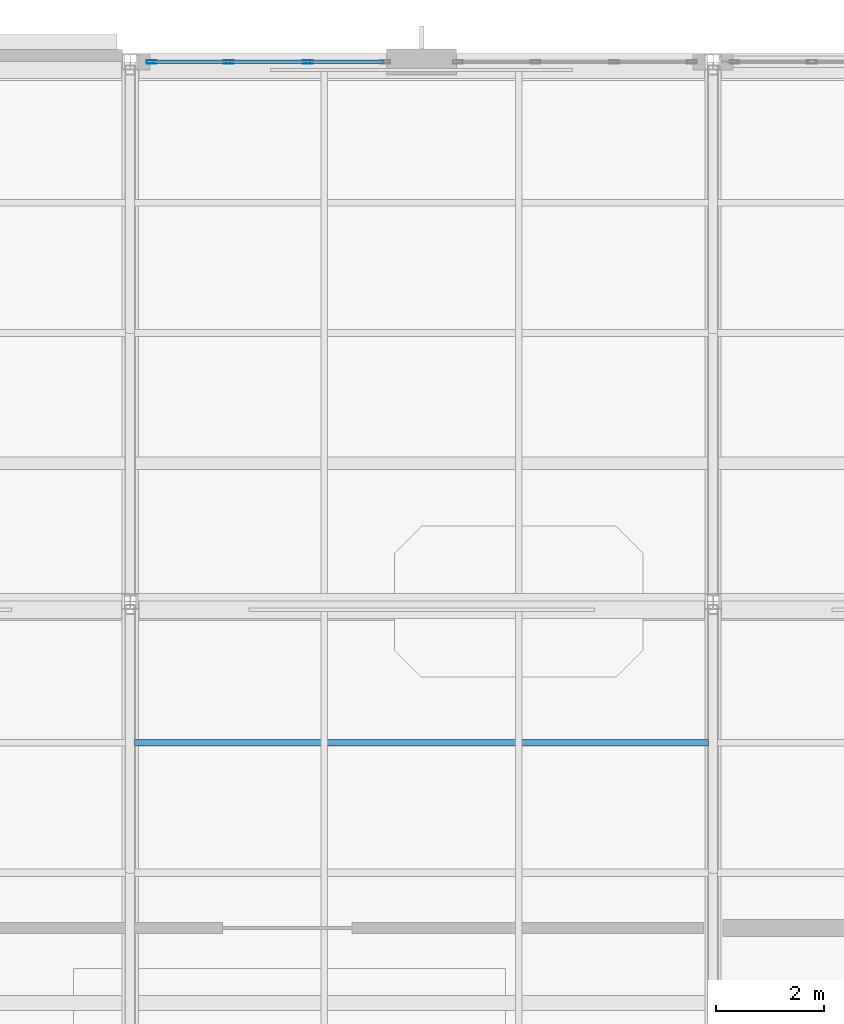
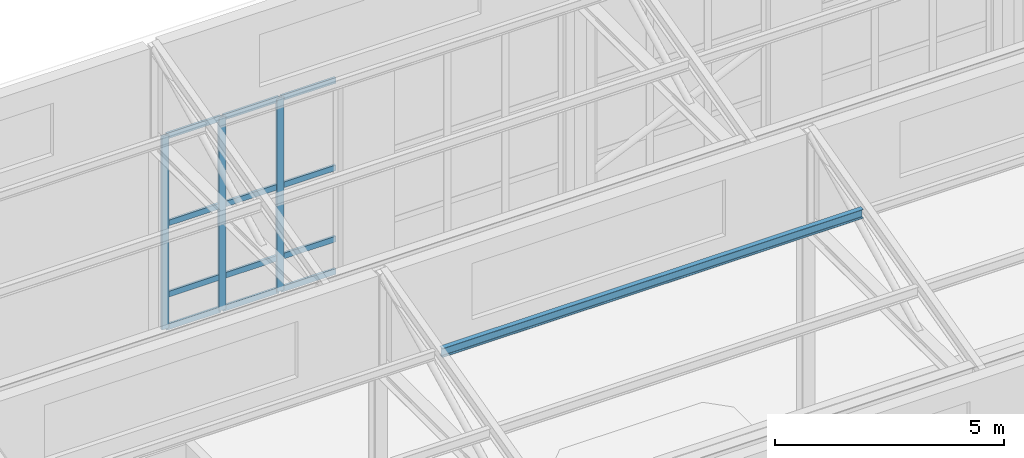
# One storey, part 11 of 49: 16 members, 1 element without a shape of its own.
"""IFC4 building model written with IfcOpenShell, lengths in metres."""

from ifc_helpers import new_model, si_unit, direction, frame, origin, origin_2d, place, context, subcontext, project, spatial, hollow_rectangle, i_section, extrude, material, layer, layer_set, material_profile, profile_set, type_object, element, aggregate, save


model = new_model("IFC4")

# Units and contexts
model_context = context("Model", 3, precision=1e-05, world=origin(), true_north=direction((0.0, 1.0)))
body_context = subcontext(model_context, "Body", "Model", "MODEL_VIEW")
ifc_project = project(units=[si_unit("LENGTHUNIT", "METRE"), si_unit("AREAUNIT", "SQUARE_METRE"), si_unit("VOLUMEUNIT", "CUBIC_METRE"), si_unit("PLANEANGLEUNIT", "RADIAN"), si_unit("MASSUNIT", "GRAM", prefix="KILO")], contexts=[model_context])

# Site, building, storey
site_placement = place(None, origin())
site = spatial("IfcSite", under=ifc_project, at=site_placement, CompositionType="ELEMENT")
building_placement = place(site_placement, origin())
building = spatial("IfcBuilding", under=site, at=building_placement, Name="Tasgan Crest Museum", CompositionType="ELEMENT")
storey_placement = place(building_placement, frame((0.0, 0.0, 28.800048828125)))
storey = spatial("IfcBuildingStorey", under=building, at=storey_placement, Name="L05", CompositionType="ELEMENT", Elevation=28.800048828125)

# Curtain wall, members
ifc_material_1 = material(Name="Triple-Glazed Aluminium Curtain Wall", Category="aluminium")
ifc_layer = layer(ifc_material_1, 0.179931640625, Name="CW-CORE-STRIP-54")
ifc_layer_set = layer_set([ifc_layer], Name="Triple-Glazed Aluminium Curtain Wall")
curtain_wall_type = type_object("IfcCurtainWallType", Name="CW-CORE-STRIP-54", PredefinedType="NOTDEFINED", material=ifc_layer_set)
curtain_wall_placement = place(storey_placement, origin())
curtain_wall = element("IfcCurtainWall", 1, at=curtain_wall_placement, inside=storey, type_object=curtain_wall_type, Name="Curtain wall L05 210", PredefinedType="NOTDEFINED")
ifc_material_2 = material(Name="Anodised Aluminium", Category="aluminium")
ifc_material_profile_1 = material_profile(ifc_material_2, hollow_rectangle(XDim=0.06494140625, YDim=0.179931640625, WallThickness=0.0048828125, at=origin_2d()), Name="ALU MULLION 180x65x5")
ifc_profile_set_1 = profile_set([ifc_material_profile_1], Name="Anodised Aluminium")
member_type_1 = type_object("IfcMemberType", Name="CW-MULLION-180", PredefinedType="MULLION", material=ifc_profile_set_1)
member_1_placement = place(storey_placement, frame((14.091552734375, 112.0, 0.0), z_axis=(0.0, 0.0, 1.0), x_axis=(0.0, -1.0, 0.0)))
member_1 = element("IfcMember", 2, at=member_1_placement, type_object=member_type_1, Name="CW21 mullion 2", PredefinedType="MULLION", context=body_context, shape_type="SweptSolid", body=[
    extrude(hollow_rectangle(XDim=0.06494140625, YDim=0.179931640625, WallThickness=0.0048828125, at=origin_2d()), origin(), (0.0, 0.0, 1.0), 5.159912109375),
])
member_2_placement = place(storey_placement, frame((12.62841796875, 112.0, 0.0), z_axis=(0.0, 0.0, 1.0), x_axis=(0.0, -1.0, 0.0)))
member_2 = element("IfcMember", 3, at=member_2_placement, type_object=member_type_1, Name="CW21 mullion 3", PredefinedType="MULLION", context=body_context, shape_type="SweptSolid", body=[
    extrude(hollow_rectangle(XDim=0.06494140625, YDim=0.179931640625, WallThickness=0.0048828125, at=origin_2d()), origin(), (0.0, 0.0, 1.0), 5.159912109375),
])
member_3_placement = place(storey_placement, frame((11.195068359375, 112.0, 0.0), z_axis=(0.0, 0.0, 1.0), x_axis=(0.0, -1.0, 0.0)))
member_3 = element("IfcMember", 4, at=member_3_placement, type_object=member_type_1, Name="CW21 mullion 4", PredefinedType="MULLION", context=body_context, shape_type="SweptSolid", body=[
    extrude(hollow_rectangle(XDim=0.06494140625, YDim=0.179931640625, WallThickness=0.0048828125, at=origin_2d()), origin(), (0.0, 0.0, 1.0), 5.159912109375),
])
ifc_material_3 = material(Name="Anodised Aluminium", Category="aluminium")
ifc_material_profile_2 = material_profile(ifc_material_3, hollow_rectangle(XDim=0.06005859375, YDim=0.14990234375, WallThickness=0.0048828125, at=origin_2d()), Name="ALU TRANSOM 150x60x5")
ifc_profile_set_2 = profile_set([ifc_material_profile_2], Name="Anodised Aluminium")
member_type_2 = type_object("IfcMemberType", Name="CW-TRANSOM-150", PredefinedType="USERDEFINED", material=ifc_profile_set_2)
member_4_placement = place(storey_placement, frame((15.4951171875, 112.0, 0.030029296875), z_axis=(-1.0, 0.0, 0.0), x_axis=(0.0, -1.0, 0.0)))
member_4 = element("IfcMember", 5, at=member_4_placement, type_object=member_type_2, Name="CW21 transom 1.1", ObjectType="TRANSOM", PredefinedType="USERDEFINED", context=body_context, shape_type="SweptSolid", body=[
    extrude(hollow_rectangle(XDim=0.06005859375, YDim=0.14990234375, WallThickness=0.0048828125, at=origin_2d()), origin(), (0.0, 0.0, 1.0), 1.37353515625),
])
member_5_placement = place(storey_placement, frame((15.4951171875, 112.0, 0.89990234375), z_axis=(-1.0, 0.0, 0.0), x_axis=(0.0, -1.0, 0.0)))
member_5 = element("IfcMember", 6, at=member_5_placement, type_object=member_type_2, Name="CW21 transom 1.2", ObjectType="TRANSOM", PredefinedType="USERDEFINED", context=body_context, shape_type="SweptSolid", body=[
    extrude(hollow_rectangle(XDim=0.06005859375, YDim=0.14990234375, WallThickness=0.0048828125, at=origin_2d()), origin(), (0.0, 0.0, 1.0), 1.37353515625),
])
member_6_placement = place(storey_placement, frame((15.4951171875, 112.0, 2.800048828125), z_axis=(-1.0, 0.0, 0.0), x_axis=(0.0, -1.0, 0.0)))
member_6 = element("IfcMember", 7, at=member_6_placement, type_object=member_type_2, Name="CW21 transom 1.3", ObjectType="TRANSOM", PredefinedType="USERDEFINED", context=body_context, shape_type="SweptSolid", body=[
    extrude(hollow_rectangle(XDim=0.06005859375, YDim=0.14990234375, WallThickness=0.0048828125, at=origin_2d()), origin(), (0.0, 0.0, 1.0), 1.37353515625),
])
member_7_placement = place(storey_placement, frame((15.4951171875, 112.0, 5.1298828125), z_axis=(-1.0, 0.0, 0.0), x_axis=(0.0, -1.0, 0.0)))
member_7 = element("IfcMember", 8, at=member_7_placement, type_object=member_type_2, Name="CW21 transom 1.4", ObjectType="TRANSOM", PredefinedType="USERDEFINED", context=body_context, shape_type="SweptSolid", body=[
    extrude(hollow_rectangle(XDim=0.06005859375, YDim=0.14990234375, WallThickness=0.0048828125, at=origin_2d()), origin(), (0.0, 0.0, 1.0), 1.37353515625),
])
member_8_placement = place(storey_placement, frame((14.061767578125, 112.0, 0.030029296875), z_axis=(-1.0, 0.0, 0.0), x_axis=(0.0, -1.0, 0.0)))
member_8 = element("IfcMember", 9, at=member_8_placement, type_object=member_type_2, Name="CW21 transom 2.1", ObjectType="TRANSOM", PredefinedType="USERDEFINED", context=body_context, shape_type="SweptSolid", body=[
    extrude(hollow_rectangle(XDim=0.06005859375, YDim=0.14990234375, WallThickness=0.0048828125, at=origin_2d()), origin(), (0.0, 0.0, 1.0), 1.4033203125),
])
member_9_placement = place(storey_placement, frame((14.061767578125, 112.0, 0.89990234375), z_axis=(-1.0, 0.0, 0.0), x_axis=(0.0, -1.0, 0.0)))
member_9 = element("IfcMember", 10, at=member_9_placement, type_object=member_type_2, Name="CW21 transom 2.2", ObjectType="TRANSOM", PredefinedType="USERDEFINED", context=body_context, shape_type="SweptSolid", body=[
    extrude(hollow_rectangle(XDim=0.06005859375, YDim=0.14990234375, WallThickness=0.0048828125, at=origin_2d()), origin(), (0.0, 0.0, 1.0), 1.4033203125),
])
member_10_placement = place(storey_placement, frame((14.061767578125, 112.0, 2.800048828125), z_axis=(-1.0, 0.0, 0.0), x_axis=(0.0, -1.0, 0.0)))
member_10 = element("IfcMember", 11, at=member_10_placement, type_object=member_type_2, Name="CW21 transom 2.3", ObjectType="TRANSOM", PredefinedType="USERDEFINED", context=body_context, shape_type="SweptSolid", body=[
    extrude(hollow_rectangle(XDim=0.06005859375, YDim=0.14990234375, WallThickness=0.0048828125, at=origin_2d()), origin(), (0.0, 0.0, 1.0), 1.4033203125),
])
member_11_placement = place(storey_placement, frame((14.061767578125, 112.0, 5.1298828125), z_axis=(-1.0, 0.0, 0.0), x_axis=(0.0, -1.0, 0.0)))
member_11 = element("IfcMember", 12, at=member_11_placement, type_object=member_type_2, Name="CW21 transom 2.4", ObjectType="TRANSOM", PredefinedType="USERDEFINED", context=body_context, shape_type="SweptSolid", body=[
    extrude(hollow_rectangle(XDim=0.06005859375, YDim=0.14990234375, WallThickness=0.0048828125, at=origin_2d()), origin(), (0.0, 0.0, 1.0), 1.4033203125),
])
member_12_placement = place(storey_placement, frame((12.598388671875, 112.0, 0.030029296875), z_axis=(-1.0, 0.0, 0.0), x_axis=(0.0, -1.0, 0.0)))
member_12 = element("IfcMember", 13, at=member_12_placement, type_object=member_type_2, Name="CW21 transom 3.1", ObjectType="TRANSOM", PredefinedType="USERDEFINED", context=body_context, shape_type="SweptSolid", body=[
    extrude(hollow_rectangle(XDim=0.06005859375, YDim=0.14990234375, WallThickness=0.0048828125, at=origin_2d()), origin(), (0.0, 0.0, 1.0), 1.373291015625),
])
member_13_placement = place(storey_placement, frame((12.598388671875, 112.0, 0.89990234375), z_axis=(-1.0, 0.0, 0.0), x_axis=(0.0, -1.0, 0.0)))
member_13 = element("IfcMember", 14, at=member_13_placement, type_object=member_type_2, Name="CW21 transom 3.2", ObjectType="TRANSOM", PredefinedType="USERDEFINED", context=body_context, shape_type="SweptSolid", body=[
    extrude(hollow_rectangle(XDim=0.06005859375, YDim=0.14990234375, WallThickness=0.0048828125, at=origin_2d()), origin(), (0.0, 0.0, 1.0), 1.373291015625),
])
member_14_placement = place(storey_placement, frame((12.598388671875, 112.0, 2.800048828125), z_axis=(-1.0, 0.0, 0.0), x_axis=(0.0, -1.0, 0.0)))
member_14 = element("IfcMember", 15, at=member_14_placement, type_object=member_type_2, Name="CW21 transom 3.3", ObjectType="TRANSOM", PredefinedType="USERDEFINED", context=body_context, shape_type="SweptSolid", body=[
    extrude(hollow_rectangle(XDim=0.06005859375, YDim=0.14990234375, WallThickness=0.0048828125, at=origin_2d()), origin(), (0.0, 0.0, 1.0), 1.373291015625),
])
member_15_placement = place(storey_placement, frame((12.598388671875, 112.0, 5.1298828125), z_axis=(-1.0, 0.0, 0.0), x_axis=(0.0, -1.0, 0.0)))
member_15 = element("IfcMember", 16, at=member_15_placement, type_object=member_type_2, Name="CW21 transom 3.4", ObjectType="TRANSOM", PredefinedType="USERDEFINED", context=body_context, shape_type="SweptSolid", body=[
    extrude(hollow_rectangle(XDim=0.06005859375, YDim=0.14990234375, WallThickness=0.0048828125, at=origin_2d()), origin(), (0.0, 0.0, 1.0), 1.373291015625),
])
aggregate(curtain_wall, [member_1, member_2, member_3, member_4, member_5, member_6, member_7, member_8, member_9, member_10, member_11, member_12, member_13, member_14, member_15])

# Member
ifc_material_4 = material(Name="Steel S355J2", Category="steel")
ifc_material_profile_3 = material_profile(ifc_material_4, i_section(OverallWidth=0.1201171875, OverallDepth=0.239990234375, WebThickness=0.006103515625, FlangeThickness=0.009765625, FilletRadius=0.014892578125, at=origin_2d()), Name="IPE 240")
ifc_profile_set_3 = profile_set([ifc_material_profile_3], Name="Steel S355J2")
member_type_3 = type_object("IfcMemberType", Name="MEM-PURLIN-240", PredefinedType="PURLIN", material=ifc_profile_set_3)
member_16_placement = place(storey_placement, frame((10.885009765625, 99.387451171875, 7.1298828125), z_axis=(1.0, 0.0, 0.0), x_axis=(0.0, 1.0, 0.0)))
element("IfcMember", 17, at=member_16_placement, inside=storey, type_object=member_type_3, Name="Sawtooth roof purlin B2 10.8-21.6 P3", PredefinedType="PURLIN", context=body_context, shape_type="SweptSolid", body=[
    extrude(i_section(OverallWidth=0.1201171875, OverallDepth=0.239990234375, WebThickness=0.006103515625, FlangeThickness=0.009765625, FilletRadius=0.014892578125, at=origin_2d()), origin(), (0.0, 0.0, 1.0), 10.6298828125),
])

save(model, "model.ifc")
